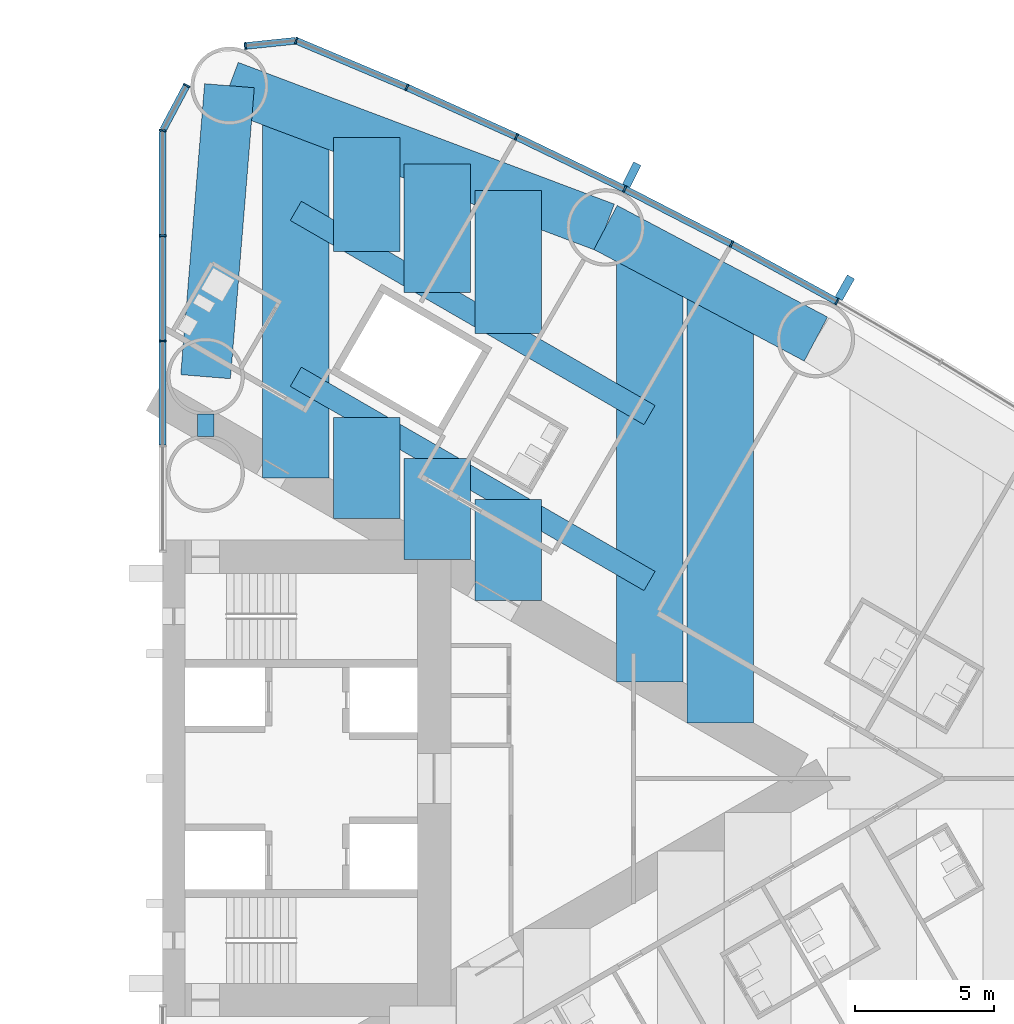
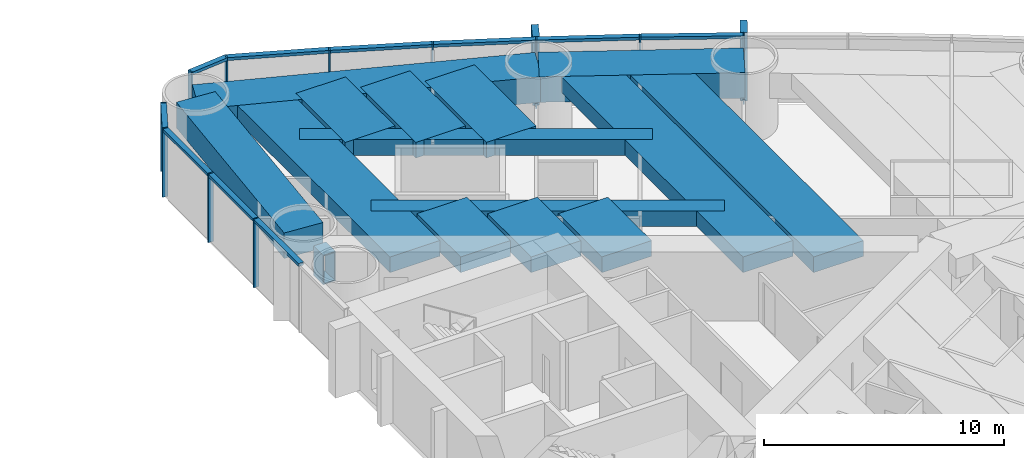
# One storey, part 7 of 18: 23 members, 15 beams, 2 elements without a shape of their own.
"""IFC4 building model written with IfcOpenShell, lengths in metres."""

from ifc_helpers import new_model, si_unit, direction, frame, origin, origin_2d, place, context, subcontext, project, spatial, rectangle, hollow_rectangle, extrude, material, material_profile, profile_set, type_object, element, aggregate, save


model = new_model("IFC4")

# Units and contexts
model_context = context("Model", 3, precision=1e-05, world=origin(), true_north=direction((0.0, 1.0)))
body_context = subcontext(model_context, "Body", "Model", "MODEL_VIEW")
ifc_project = project(units=[si_unit("LENGTHUNIT", "METRE"), si_unit("AREAUNIT", "SQUARE_METRE"), si_unit("VOLUMEUNIT", "CUBIC_METRE"), si_unit("PLANEANGLEUNIT", "RADIAN"), si_unit("MASSUNIT", "GRAM", prefix="KILO")], contexts=[model_context])

# Site, building, storey
site_placement = place(None, origin())
site = spatial("IfcSite", under=ifc_project, at=site_placement, CompositionType="ELEMENT")
building_placement = place(site_placement, origin())
building = spatial("IfcBuilding", under=site, at=building_placement, Name="Lancet Gate Hotel", CompositionType="ELEMENT")
storey_placement = place(building_placement, frame((0.0, 0.0, 49.5)))
storey = spatial("IfcBuildingStorey", under=building, at=storey_placement, Name="L12", CompositionType="ELEMENT", Elevation=49.5)

# Curtain wall, members
ifc_material_1 = material(Name="Aluminium curtain wall", Category="aluminium")
curtain_wall_type = type_object("IfcCurtainWallType", Name="Tower unitised curtain wall", PredefinedType="USERDEFINED", material=ifc_material_1)
curtain_wall_1_placement = place(storey_placement, origin())
curtain_wall_1 = element("IfcCurtainWall", 1, at=curtain_wall_1_placement, inside=storey, type_object=curtain_wall_type, Name="T2 L12 curtain wall 3", ObjectType="UNITISED CURTAIN WALL", PredefinedType="USERDEFINED")
ifc_material_2 = material(Name="Aluminium mullion", Category="aluminium")
ifc_material_profile_1 = material_profile(ifc_material_2, rectangle(XDim=0.06494140625, YDim=0.25, at=origin_2d()), Name="MULLION 65x250")
ifc_profile_set_1 = profile_set([ifc_material_profile_1], Name="Aluminium mullion")
member_type_1 = type_object("IfcMemberType", Name="Aluminium mullion 65x250", PredefinedType="MULLION", material=ifc_profile_set_1)
member_1_placement = place(storey_placement, frame((51.838623046875, 17.208740234375, 0.0), z_axis=(0.0, 0.0, 1.0), x_axis=(-0.871190450382, 0.490945209941, 0.0)))
member_1 = element("IfcMember", 2, at=member_1_placement, type_object=member_type_1, Name="T2 L12 curtain wall 3 mullion 8", PredefinedType="MULLION", context=body_context, shape_type="SweptSolid", body=[
    extrude(rectangle(XDim=0.06494140625, YDim=0.25, at=origin_2d()), origin(), (0.0, 0.0, 1.0), 3.5),
])
member_2_placement = place(storey_placement, frame((48.03271484375, 19.2900390625, 0.0), z_axis=(0.0, 0.0, 1.0), x_axis=(-0.88340346743, 0.468613181347, 0.0)))
member_2 = element("IfcMember", 3, at=member_2_placement, type_object=member_type_1, Name="T2 L12 curtain wall 3 mullion 9", PredefinedType="MULLION", context=body_context, shape_type="SweptSolid", body=[
    extrude(rectangle(XDim=0.06494140625, YDim=0.25, at=origin_2d()), origin(), (0.0, 0.0, 1.0), 3.5),
])
member_3_placement = place(storey_placement, frame((44.17529296875, 21.273681640625, 0.0), z_axis=(0.0, 0.0, 1.0), x_axis=(-0.895044147438, 0.445977548917, 0.0)))
member_3 = element("IfcMember", 4, at=member_3_placement, type_object=member_type_1, Name="T2 L12 curtain wall 3 mullion 10", PredefinedType="MULLION", context=body_context, shape_type="SweptSolid", body=[
    extrude(rectangle(XDim=0.06494140625, YDim=0.25, at=origin_2d()), origin(), (0.0, 0.0, 1.0), 3.5),
])
member_4_placement = place(storey_placement, frame((40.2685546875, 23.15869140625, 0.0), z_axis=(0.0, 0.0, 1.0), x_axis=(-0.906104948671, 0.423052977762, 0.0)))
member_4 = element("IfcMember", 5, at=member_4_placement, type_object=member_type_1, Name="T2 L12 curtain wall 3 mullion 11", PredefinedType="MULLION", context=body_context, shape_type="SweptSolid", body=[
    extrude(rectangle(XDim=0.06494140625, YDim=0.25, at=origin_2d()), origin(), (0.0, 0.0, 1.0), 3.5),
])
member_5_placement = place(storey_placement, frame((36.31494140625, 24.943603515625, 0.0), z_axis=(0.0, 0.0, 1.0), x_axis=(-0.916578705089, 0.399854320193, 0.0)))
member_5 = element("IfcMember", 6, at=member_5_placement, type_object=member_type_1, Name="T2 L12 curtain wall 3 mullion 12", PredefinedType="MULLION", context=body_context, shape_type="SweptSolid", body=[
    extrude(rectangle(XDim=0.06494140625, YDim=0.25, at=origin_2d()), origin(), (0.0, 0.0, 1.0), 3.5),
])
member_6_placement = place(storey_placement, frame((32.3173828125, 26.62744140625, 0.0), z_axis=(0.0, 0.0, 1.0), x_axis=(-0.968721492963, 0.248150496819, 0.0)))
member_6 = element("IfcMember", 7, at=member_6_placement, type_object=member_type_1, Name="T2 L12 curtain wall 3 mullion 13", PredefinedType="MULLION", context=body_context, shape_type="SweptSolid", body=[
    extrude(rectangle(XDim=0.06494140625, YDim=0.25, at=origin_2d()), origin(), (0.0, 0.0, 1.0), 3.5),
])
member_7_placement = place(storey_placement, frame((30.48388671875, 26.4375, 0.0), z_axis=(0.0, 0.0, 1.0), x_axis=(-0.994672262412, -0.10308778001, 0.0)))
member_7 = element("IfcMember", 8, at=member_7_placement, type_object=member_type_1, Name="T2 L12 curtain wall 3 mullion 14", PredefinedType="MULLION", context=body_context, shape_type="SweptSolid", body=[
    extrude(rectangle(XDim=0.06494140625, YDim=0.25, at=origin_2d()), origin(), (0.0, 0.0, 1.0), 3.5),
])

curtain_wall_2_placement = place(storey_placement, origin())
curtain_wall_2 = element("IfcCurtainWall", 9, at=curtain_wall_2_placement, inside=storey, type_object=curtain_wall_type, Name="T2 L12 curtain wall 4", ObjectType="UNITISED CURTAIN WALL", PredefinedType="USERDEFINED")
member_8_placement = place(storey_placement, frame((28.366455078125, 25.012451171875, 0.0), z_axis=(0.0, 0.0, 1.0), x_axis=(-0.469897827284, -0.882720811987, 0.0)))
member_8 = element("IfcMember", 10, at=member_8_placement, type_object=member_type_1, Name="T2 L12 curtain wall 4 mullion 1", PredefinedType="MULLION", context=body_context, shape_type="SweptSolid", body=[
    extrude(rectangle(XDim=0.06494140625, YDim=0.25, at=origin_2d()), origin(), (0.0, 0.0, 1.0), 3.5),
])
member_9_placement = place(storey_placement, frame((27.5, 23.384765625, 0.0), z_axis=(0.0, 0.0, 1.0), x_axis=(-0.157751691459, -0.987478811844, 0.0)))
member_9 = element("IfcMember", 11, at=member_9_placement, type_object=member_type_1, Name="T2 L12 curtain wall 4 mullion 2", PredefinedType="MULLION", context=body_context, shape_type="SweptSolid", body=[
    extrude(rectangle(XDim=0.06494140625, YDim=0.25, at=origin_2d()), origin(), (0.0, 0.0, 1.0), 3.5),
])
member_10_placement = place(storey_placement, frame((27.5, 19.588623046875, 0.0), z_axis=(0.0, 0.0, 1.0), x_axis=(0.0, -1.0, 0.0)))
member_10 = element("IfcMember", 12, at=member_10_placement, type_object=member_type_1, Name="T2 L12 curtain wall 4 mullion 3", PredefinedType="MULLION", context=body_context, shape_type="SweptSolid", body=[
    extrude(rectangle(XDim=0.06494140625, YDim=0.25, at=origin_2d()), origin(), (0.0, 0.0, 1.0), 3.5),
])
member_11_placement = place(storey_placement, frame((27.5, 15.79248046875, 0.0), z_axis=(0.0, 0.0, 1.0), x_axis=(0.0, -1.0, 0.0)))
member_11 = element("IfcMember", 13, at=member_11_placement, type_object=member_type_1, Name="T2 L12 curtain wall 4 mullion 4", PredefinedType="MULLION", context=body_context, shape_type="SweptSolid", body=[
    extrude(rectangle(XDim=0.06494140625, YDim=0.25, at=origin_2d()), origin(), (0.0, 0.0, 1.0), 3.5),
])

# Member
ifc_material_3 = material(Name="Aluminium transom", Category="aluminium")
ifc_material_profile_2 = material_profile(ifc_material_3, rectangle(XDim=0.25, YDim=0.14990234375, at=origin_2d()), Name="TRANSOM 250x150")
ifc_profile_set_2 = profile_set([ifc_material_profile_2], Name="Aluminium transom")
member_type_2 = type_object("IfcMemberType", Name="Aluminium transom 250x150", PredefinedType="USERDEFINED", material=ifc_profile_set_2)
member_12_placement = place(storey_placement, frame((51.81005859375, 17.224365234375, 3.425048828125), z_axis=(-0.877377528879, 0.479800658417, 0.0), x_axis=(-0.479800658417, -0.877377528879, 0.0)))
member_12 = element("IfcMember", 14, at=member_12_placement, type_object=member_type_2, Name="T2 L12 curtain wall 3 transom 8", ObjectType="TRANSOM", PredefinedType="USERDEFINED", context=body_context, shape_type="SweptSolid", body=[
    extrude(rectangle(XDim=0.25, YDim=0.14990234375, at=origin_2d()), origin(), (0.0, 0.0, 1.0), 4.272705078125),
])

member_13_placement = place(storey_placement, frame((48.00390625, 19.304931640625, 3.425048828125), z_axis=(-0.88929576978, 0.457332520002, 0.0), x_axis=(-0.457332520002, -0.88929576978, 0.0)))
member_13 = element("IfcMember", 15, at=member_13_placement, type_object=member_type_2, Name="T2 L12 curtain wall 3 transom 9", ObjectType="TRANSOM", PredefinedType="USERDEFINED", context=body_context, shape_type="SweptSolid", body=[
    extrude(rectangle(XDim=0.25, YDim=0.14990234375, at=origin_2d()), origin(), (0.0, 0.0, 1.0), 4.272705078125),
])

member_14_placement = place(storey_placement, frame((44.14599609375, 21.287841796875, 3.425048828125), z_axis=(-0.900646499888, 0.434552508035, 0.0), x_axis=(-0.434552508035, -0.900646499888, 0.0)))
member_14 = element("IfcMember", 16, at=member_14_placement, type_object=member_type_2, Name="T2 L12 curtain wall 3 transom 10", ObjectType="TRANSOM", PredefinedType="USERDEFINED", context=body_context, shape_type="SweptSolid", body=[
    extrude(rectangle(XDim=0.25, YDim=0.14990234375, at=origin_2d()), origin(), (0.0, 0.0, 1.0), 4.272705078125),
])

member_15_placement = place(storey_placement, frame((40.23876953125, 23.172119140625, 3.425048828125), z_axis=(-0.911396871737, 0.411528543589, 0.0), x_axis=(-0.411528543589, -0.911396871737, 0.0)))
member_15 = element("IfcMember", 17, at=member_15_placement, type_object=member_type_2, Name="T2 L12 curtain wall 3 transom 11", ObjectType="TRANSOM", PredefinedType="USERDEFINED", context=body_context, shape_type="SweptSolid", body=[
    extrude(rectangle(XDim=0.25, YDim=0.14990234375, at=origin_2d()), origin(), (0.0, 0.0, 1.0), 4.272705078125),
])

member_16_placement = place(storey_placement, frame((36.28515625, 24.956298828125, 3.425048828125), z_axis=(-0.92159772617, 0.388146404233, 0.0), x_axis=(-0.388146404233, -0.92159772617, 0.0)))
member_16 = element("IfcMember", 18, at=member_16_placement, type_object=member_type_2, Name="T2 L12 curtain wall 3 transom 12", ObjectType="TRANSOM", PredefinedType="USERDEFINED", context=body_context, shape_type="SweptSolid", body=[
    extrude(rectangle(XDim=0.25, YDim=0.14990234375, at=origin_2d()), origin(), (0.0, 0.0, 1.0), 4.272705078125),
])

member_17_placement = place(storey_placement, frame((32.28515625, 26.6240234375, 3.425048828125), z_axis=(-0.994670452051, -0.103105246306, 0.0), x_axis=(0.103105246306, -0.994670452051, 0.0)))
member_17 = element("IfcMember", 19, at=member_17_placement, type_object=member_type_2, Name="T2 L12 curtain wall 3 transom 13", ObjectType="TRANSOM", PredefinedType="USERDEFINED", context=body_context, shape_type="SweptSolid", body=[
    extrude(rectangle(XDim=0.25, YDim=0.14990234375, at=origin_2d()), origin(), (0.0, 0.0, 1.0), 1.7783203125),
])

member_18_placement = place(storey_placement, frame((28.351318359375, 24.98388671875, 3.425048828125), z_axis=(-0.469904276347, -0.882717378933, 0.0), x_axis=(0.882717378933, -0.469904276347, 0.0)))
member_18 = element("IfcMember", 20, at=member_18_placement, type_object=member_type_2, Name="T2 L12 curtain wall 4 transom 1", ObjectType="TRANSOM", PredefinedType="USERDEFINED", context=body_context, shape_type="SweptSolid", body=[
    extrude(rectangle(XDim=0.25, YDim=0.14990234375, at=origin_2d()), origin(), (0.0, 0.0, 1.0), 1.779052734375),
])

member_19_placement = place(storey_placement, frame((27.5, 23.352294921875, 3.425048828125), z_axis=(0.0, -1.0, 0.0), x_axis=(1.0, 0.0, 0.0)))
member_19 = element("IfcMember", 21, at=member_19_placement, type_object=member_type_2, Name="T2 L12 curtain wall 4 transom 2", ObjectType="TRANSOM", PredefinedType="USERDEFINED", context=body_context, shape_type="SweptSolid", body=[
    extrude(rectangle(XDim=0.25, YDim=0.14990234375, at=origin_2d()), origin(), (0.0, 0.0, 1.0), 3.731201171875),
])

member_20_placement = place(storey_placement, frame((27.5, 19.55615234375, 3.425048828125), z_axis=(0.0, -1.0, 0.0), x_axis=(1.0, 0.0, 0.0)))
member_20 = element("IfcMember", 22, at=member_20_placement, type_object=member_type_2, Name="T2 L12 curtain wall 4 transom 3", ObjectType="TRANSOM", PredefinedType="USERDEFINED", context=body_context, shape_type="SweptSolid", body=[
    extrude(rectangle(XDim=0.25, YDim=0.14990234375, at=origin_2d()), origin(), (0.0, 0.0, 1.0), 3.731201171875),
])

member_21_placement = place(storey_placement, frame((27.5, 15.760009765625, 3.425048828125), z_axis=(0.0, -1.0, 0.0), x_axis=(1.0, 0.0, 0.0)))
member_21 = element("IfcMember", 23, at=member_21_placement, type_object=member_type_2, Name="T2 L12 curtain wall 4 transom 4", ObjectType="TRANSOM", PredefinedType="USERDEFINED", context=body_context, shape_type="SweptSolid", body=[
    extrude(rectangle(XDim=0.25, YDim=0.14990234375, at=origin_2d()), origin(), (0.0, 0.0, 1.0), 3.731201171875),
])

aggregate(curtain_wall_2, [member_8, member_9, member_10, member_11, member_18, member_19, member_20, member_21])

# Beams
ifc_material_4 = material(Name="Concrete C50/60", Category="concrete")
ifc_material_profile_3 = material_profile(ifc_material_4, rectangle(XDim=1.800048828125, YDim=1.300048828125, at=origin_2d()), Name="RC 1800x1300")
ifc_profile_set_3 = profile_set([ifc_material_profile_3], Name="Concrete C50/60")
beam_type_1 = type_object("IfcBeamType", Name="Edge beam RC 1800x1300", PredefinedType="SPANDREL", material=ifc_profile_set_3)
beam_1_placement = place(storey_placement, frame((51.07763671875, 15.8583984375, 2.60009765625), z_axis=(-0.883403493655, 0.46861313191, 0.0), x_axis=(-0.46861313191, -0.883403493655, 0.0)))
element("IfcBeam", 24, at=beam_1_placement, inside=storey, type_object=beam_type_1, Name="T2 edge beam EB1 L12", PredefinedType="SPANDREL", context=body_context, shape_type="SweptSolid", body=[
    extrude(rectangle(XDim=1.800048828125, YDim=1.300048828125, at=origin_2d()), origin(), (0.0, 0.0, 1.0), 8.595703125),
])
beam_2_placement = place(storey_placement, frame((43.484130859375, 19.886474609375, 2.60009765625), z_axis=(-0.935736448066, 0.352700013836, 0.0), x_axis=(-0.352700013836, -0.935736448066, 0.0)))
element("IfcBeam", 25, at=beam_2_placement, inside=storey, type_object=beam_type_1, Name="T2 edge beam EB1 L12", PredefinedType="SPANDREL", context=body_context, shape_type="SweptSolid", body=[
    extrude(rectangle(XDim=1.800048828125, YDim=1.300048828125, at=origin_2d()), origin(), (0.0, 0.0, 1.0), 14.505126953125),
])
beam_3_placement = place(storey_placement, frame((29.050048828125, 14.5, 2.60009765625), z_axis=(0.081714744052, 0.996655758326, 0.0), x_axis=(-0.996655758326, 0.081714744052, 0.0)))
element("IfcBeam", 26, at=beam_3_placement, inside=storey, type_object=beam_type_1, Name="T2 edge beam EB1 L12", PredefinedType="SPANDREL", context=body_context, shape_type="SweptSolid", body=[
    extrude(rectangle(XDim=1.800048828125, YDim=1.300048828125, at=origin_2d()), origin(), (0.0, 0.0, 1.0), 10.53759765625),
])

# Member
ifc_material_5 = material(Name="Precast concrete C50/60", Category="concrete")
ifc_material_profile_4 = material_profile(ifc_material_5, rectangle(XDim=0.300048828125, YDim=0.89990234375, at=origin_2d()), Name="FIN 300x900")
ifc_profile_set_4 = profile_set([ifc_material_profile_4], Name="Precast concrete C50/60")
member_type_3 = type_object("IfcMemberType", Name="Exposed concrete fin 300x900", PredefinedType="USERDEFINED", material=ifc_profile_set_4)
member_22_placement = place(storey_placement, frame((52.120849609375, 17.709716796875, 0.0), z_axis=(0.0, 0.0, 1.0), x_axis=(-0.871190450382, 0.490945209941, 0.0)))
member_22 = element("IfcMember", 27, at=member_22_placement, type_object=member_type_3, Name="T2 L12 curtain wall 3 fin 8", ObjectType="FIN", PredefinedType="USERDEFINED", context=body_context, shape_type="SweptSolid", body=[
    extrude(rectangle(XDim=0.300048828125, YDim=0.89990234375, at=origin_2d()), origin(), (0.0, 0.0, 1.0), 3.5),
])

member_23_placement = place(storey_placement, frame((44.431640625, 21.788330078125, 0.0), z_axis=(0.0, 0.0, 1.0), x_axis=(-0.895044147438, 0.445977548917, 0.0)))
member_23 = element("IfcMember", 28, at=member_23_placement, type_object=member_type_3, Name="T2 L12 curtain wall 3 fin 10", ObjectType="FIN", PredefinedType="USERDEFINED", context=body_context, shape_type="SweptSolid", body=[
    extrude(rectangle(XDim=0.300048828125, YDim=0.89990234375, at=origin_2d()), origin(), (0.0, 0.0, 1.0), 3.5),
])

aggregate(curtain_wall_1, [member_1, member_22, member_2, member_3, member_23, member_4, member_5, member_6, member_7, member_12, member_13, member_14, member_15, member_16, member_17])

# Beams
ifc_material_6 = material(Name="Concrete C50/60", Category="concrete")
ifc_material_profile_5 = material_profile(ifc_material_6, rectangle(XDim=2.39990234375, YDim=0.800048828125, at=origin_2d()), Name="RC 2400x800")
ifc_profile_set_5 = profile_set([ifc_material_profile_5], Name="Concrete C50/60")
beam_type_2 = type_object("IfcBeamType", Name="Floor beam RC 2400x800", PredefinedType="BEAM", material=ifc_profile_set_5)
beam_4_placement = place(storey_placement, frame((32.306396484375, 10.851806640625, 2.85009765625), z_axis=(0.0, 1.0, 0.0), x_axis=(-1.0, 0.0, 0.0)))
element("IfcBeam", 29, at=beam_4_placement, inside=storey, type_object=beam_type_2, Name="T2 floor beam F04N L12", PredefinedType="BEAM", context=body_context, shape_type="SweptSolid", body=[
    extrude(rectangle(XDim=2.39990234375, YDim=0.800048828125, at=origin_2d()), origin(), (0.0, 0.0, 1.0), 13.247802734375),
])
beam_5_placement = place(storey_placement, frame((45.072265625, 3.4814453125, 2.85009765625), z_axis=(0.0, 1.0, 0.0), x_axis=(-1.0, 0.0, 0.0)))
element("IfcBeam", 30, at=beam_5_placement, inside=storey, type_object=beam_type_2, Name="T2 floor beam F12N L12", PredefinedType="BEAM", context=body_context, shape_type="SweptSolid", body=[
    extrude(rectangle(XDim=2.39990234375, YDim=0.800048828125, at=origin_2d()), origin(), (0.0, 0.0, 1.0), 15.5625),
])
beam_6_placement = place(storey_placement, frame((47.62548828125, 2.00732421875, 2.85009765625), z_axis=(0.0, 1.0, 0.0), x_axis=(-1.0, 0.0, 0.0)))
element("IfcBeam", 31, at=beam_6_placement, inside=storey, type_object=beam_type_2, Name="T2 floor beam F14N L12", PredefinedType="BEAM", context=body_context, shape_type="SweptSolid", body=[
    extrude(rectangle(XDim=2.39990234375, YDim=0.800048828125, at=origin_2d()), origin(), (0.0, 0.0, 1.0), 15.68212890625),
])
beam_7_placement = place(storey_placement, frame((34.859619140625, 9.377685546875, 2.85009765625), z_axis=(0.0, 1.0, 0.0), x_axis=(-1.0, 0.0, 0.0)))
element("IfcBeam", 32, at=beam_7_placement, inside=storey, type_object=beam_type_2, Name="T2 floor beam F06NA L12", PredefinedType="BEAM", context=body_context, shape_type="SweptSolid", body=[
    extrude(rectangle(XDim=2.39990234375, YDim=0.800048828125, at=origin_2d()), origin(), (0.0, 0.0, 1.0), 3.645751953125),
])
beam_8_placement = place(storey_placement, frame((34.859619140625, 19.011474609375, 2.85009765625), z_axis=(0.0, 1.0, 0.0), x_axis=(-1.0, 0.0, 0.0)))
element("IfcBeam", 33, at=beam_8_placement, inside=storey, type_object=beam_type_2, Name="T2 floor beam F06NB L12", PredefinedType="BEAM", context=body_context, shape_type="SweptSolid", body=[
    extrude(rectangle(XDim=2.39990234375, YDim=0.800048828125, at=origin_2d()), origin(), (0.0, 0.0, 1.0), 4.125732421875),
])
beam_9_placement = place(storey_placement, frame((37.412841796875, 7.903564453125, 2.85009765625), z_axis=(0.0, 1.0, 0.0), x_axis=(-1.0, 0.0, 0.0)))
element("IfcBeam", 34, at=beam_9_placement, inside=storey, type_object=beam_type_2, Name="T2 floor beam F08NA L12", PredefinedType="BEAM", context=body_context, shape_type="SweptSolid", body=[
    extrude(rectangle(XDim=2.39990234375, YDim=0.800048828125, at=origin_2d()), origin(), (0.0, 0.0, 1.0), 3.6455078125),
])
beam_10_placement = place(storey_placement, frame((37.412841796875, 17.537109375, 2.85009765625), z_axis=(0.0, 1.0, 0.0), x_axis=(-1.0, 0.0, 0.0)))
element("IfcBeam", 35, at=beam_10_placement, inside=storey, type_object=beam_type_2, Name="T2 floor beam F08NB L12", PredefinedType="BEAM", context=body_context, shape_type="SweptSolid", body=[
    extrude(rectangle(XDim=2.39990234375, YDim=0.800048828125, at=origin_2d()), origin(), (0.0, 0.0, 1.0), 4.6376953125),
])
beam_11_placement = place(storey_placement, frame((39.9658203125, 6.429443359375, 2.85009765625), z_axis=(0.0, 1.0, 0.0), x_axis=(-1.0, 0.0, 0.0)))
element("IfcBeam", 36, at=beam_11_placement, inside=storey, type_object=beam_type_2, Name="T2 floor beam F10NA L12", PredefinedType="BEAM", context=body_context, shape_type="SweptSolid", body=[
    extrude(rectangle(XDim=2.39990234375, YDim=0.800048828125, at=origin_2d()), origin(), (0.0, 0.0, 1.0), 3.64501953125),
])
beam_12_placement = place(storey_placement, frame((39.9658203125, 16.062744140625, 2.85009765625), z_axis=(0.0, 1.0, 0.0), x_axis=(-1.0, 0.0, 0.0)))
element("IfcBeam", 37, at=beam_12_placement, inside=storey, type_object=beam_type_2, Name="T2 floor beam F10NB L12", PredefinedType="BEAM", context=body_context, shape_type="SweptSolid", body=[
    extrude(rectangle(XDim=2.39990234375, YDim=0.800048828125, at=origin_2d()), origin(), (0.0, 0.0, 1.0), 5.14990234375),
])
ifc_material_7 = material(Name="Steel S460QL", Category="steel")
ifc_material_profile_6 = material_profile(ifc_material_7, hollow_rectangle(XDim=0.60009765625, YDim=1.5, WallThickness=0.050048828125, at=origin_2d()), Name="BOX 1500x600x50")
ifc_profile_set_6 = profile_set([ifc_material_profile_6], Name="Steel S460QL")
beam_type_3 = type_object("IfcBeamType", Name="Inner-face link beam BOX 1500x600x50", PredefinedType="BEAM", material=ifc_profile_set_6)
beam_13_placement = place(storey_placement, frame((29.050048828125, 12.35009765625, 2.5), z_axis=(0.0, 1.0, 0.0), x_axis=(-1.0, 0.0, 0.0)))
element("IfcBeam", 38, at=beam_13_placement, inside=storey, type_object=beam_type_3, Name="T2 inner-face link beam LK1 L12", PredefinedType="BEAM", context=body_context, shape_type="SweptSolid", body=[
    extrude(hollow_rectangle(XDim=0.60009765625, YDim=1.5, WallThickness=0.050048828125, at=origin_2d()), origin(), (0.0, 0.0, 1.0), 0.7998046875),
])
ifc_material_8 = material(Name="Steel S460QL", Category="steel")
ifc_material_profile_7 = material_profile(ifc_material_8, hollow_rectangle(XDim=0.800048828125, YDim=0.800048828125, WallThickness=0.080078125, at=origin_2d()), Name="BOX 800x800x80")
ifc_profile_set_7 = profile_set([ifc_material_profile_7], Name="Steel S460QL")
beam_type_4 = type_object("IfcBeamType", Name="Trimmer beam BOX 800x800x80", PredefinedType="BEAM", material=ifc_profile_set_7)
beam_14_placement = place(storey_placement, frame((32.306396484375, 20.48583984375, 2.85009765625), z_axis=(0.86598286195, -0.500073677381, 0.0), x_axis=(0.500073677381, 0.86598286195, 0.0)))
element("IfcBeam", 39, at=beam_14_placement, inside=storey, type_object=beam_type_4, Name="T2 trimmer beam TR03N L12", PredefinedType="BEAM", context=body_context, shape_type="SweptSolid", body=[
    extrude(hollow_rectangle(XDim=0.800048828125, YDim=0.800048828125, WallThickness=0.080078125, at=origin_2d()), origin(), (0.0, 0.0, 1.0), 14.741455078125),
])
beam_15_placement = place(storey_placement, frame((32.306396484375, 14.497802734375, 2.85009765625), z_axis=(0.865975689888, -0.500086097111, 0.0), x_axis=(0.500086097111, 0.865975689888, 0.0)))
element("IfcBeam", 40, at=beam_15_placement, inside=storey, type_object=beam_type_4, Name="T2 trimmer beam TR04N L12", PredefinedType="BEAM", context=body_context, shape_type="SweptSolid", body=[
    extrude(hollow_rectangle(XDim=0.800048828125, YDim=0.800048828125, WallThickness=0.080078125, at=origin_2d()), origin(), (0.0, 0.0, 1.0), 14.74169921875),
])

save(model, "model.ifc")
